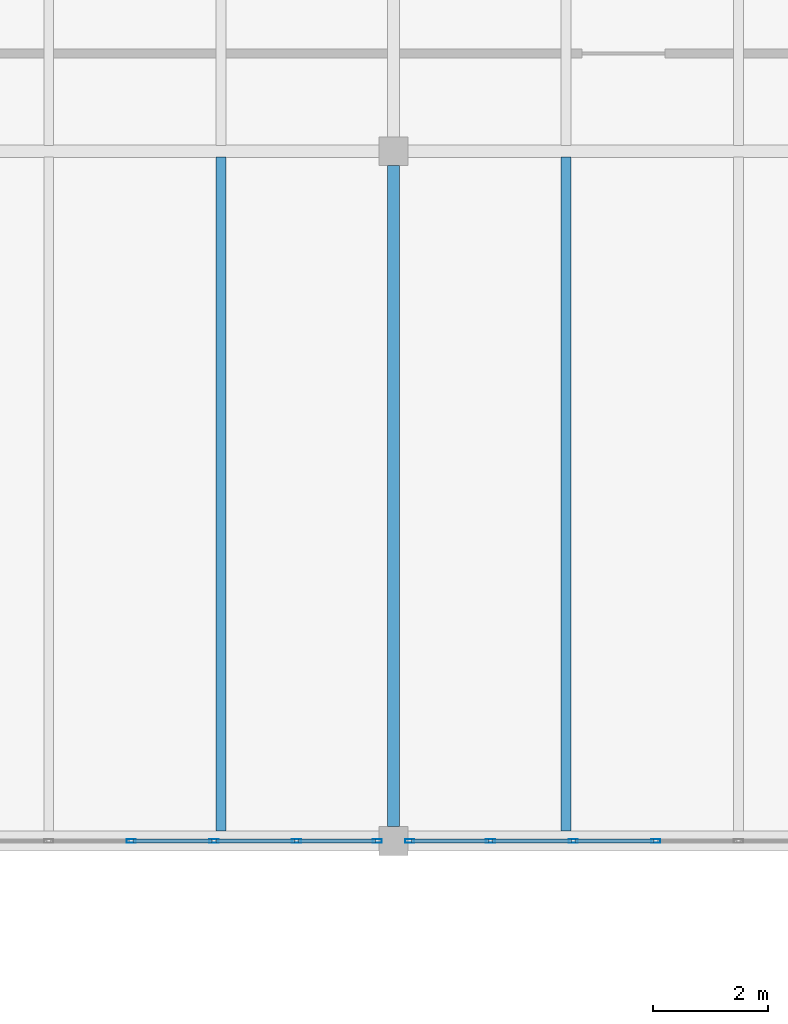
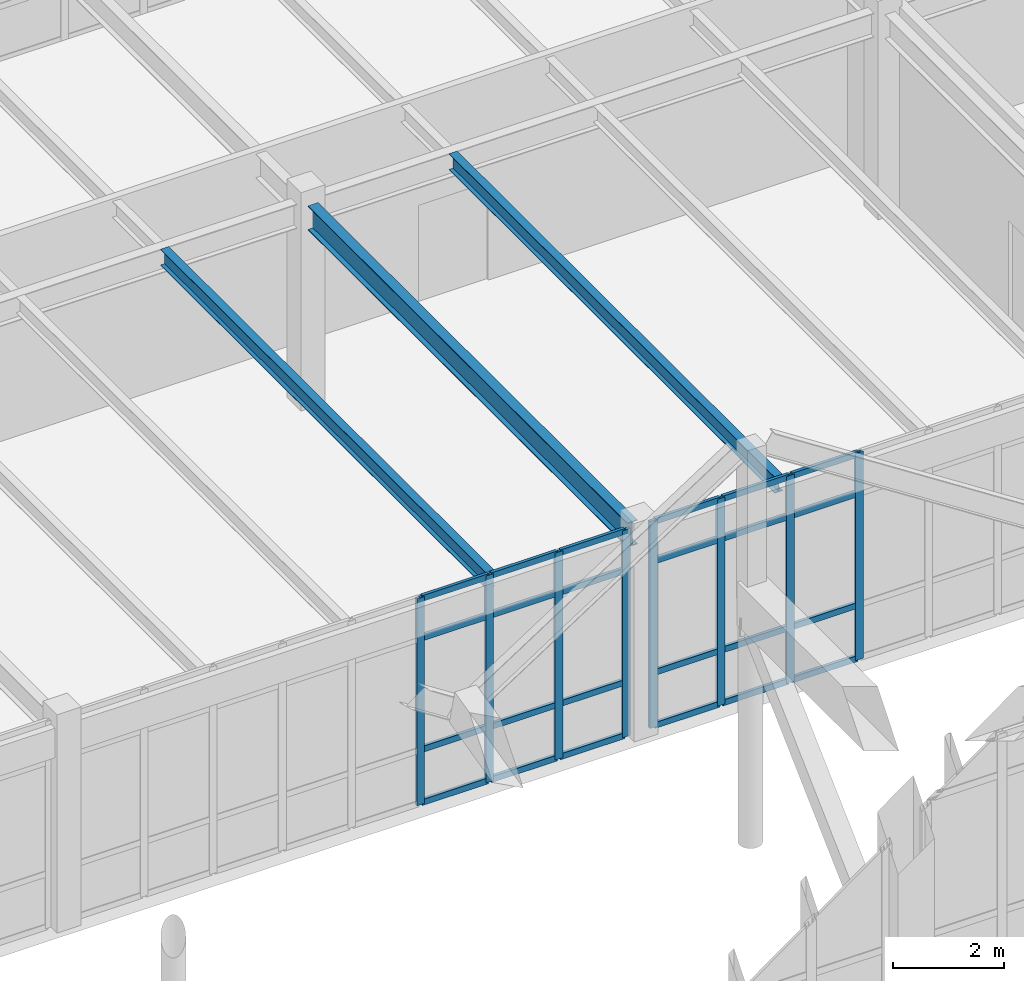
# One storey, part 94 of 236: 32 members, 3 beams, 2 elements without a shape of their own.
"""IFC4 building model written with IfcOpenShell, lengths in metres."""

from ifc_helpers import new_model, si_unit, direction, frame, origin, origin_2d, place, context, subcontext, project, spatial, hollow_rectangle, i_section, extrude, material, layer, layer_set, material_profile, profile_set, type_object, element, aggregate, save


model = new_model("IFC4")

# Units and contexts
model_context = context("Model", 3, precision=1e-05, world=origin(), true_north=direction((0.0, 1.0)))
body_context = subcontext(model_context, "Body", "Model", "MODEL_VIEW")
ifc_project = project(units=[si_unit("LENGTHUNIT", "METRE"), si_unit("AREAUNIT", "SQUARE_METRE"), si_unit("VOLUMEUNIT", "CUBIC_METRE"), si_unit("PLANEANGLEUNIT", "RADIAN"), si_unit("MASSUNIT", "GRAM", prefix="KILO")], contexts=[model_context])

# Site, building, storey
site_placement = place(None, origin())
site = spatial("IfcSite", under=ifc_project, at=site_placement, CompositionType="ELEMENT")
building_placement = place(site_placement, origin())
building = spatial("IfcBuilding", under=site, at=building_placement, Name="Pandanus Reach Market Hall", CompositionType="ELEMENT")
storey_placement = place(building_placement, frame((0.0, 0.0, 5.39990234375)))
storey = spatial("IfcBuildingStorey", under=building, at=storey_placement, Name="L01", CompositionType="ELEMENT", Elevation=5.39990234375)

# Beam
ifc_material_1 = material(Name="Steel Grade 350 (350 MPa)", Category="steel")
ifc_material_profile_1 = material_profile(ifc_material_1, i_section(OverallWidth=0.208984375, OverallDepth=0.532958984375, WebThickness=0.01025390625, FlangeThickness=0.015625, at=origin_2d()), Name="530UB92.4", Category="LoadBearing")
ifc_profile_set_1 = profile_set([ifc_material_profile_1], Name="Steel Grade 350 (350 MPa)")
beam_type_1 = type_object("IfcBeamType", Name="BM-UB530-I", PredefinedType="BEAM", material=ifc_profile_set_1)
beam_placement = place(storey_placement, frame((84.0, 96.248046875, 4.193115234375), z_axis=(0.0, 1.0, 0.0), x_axis=(-1.0, 0.0, 0.0)))
element("IfcBeam", 1, at=beam_placement, inside=storey, type_object=beam_type_1, Name="Framing beam BM-UB530-I L01.873", PredefinedType="BEAM", context=body_context, shape_type="SweptSolid", body=[
    extrude(i_section(OverallWidth=0.208984375, OverallDepth=0.532958984375, WebThickness=0.01025390625, FlangeThickness=0.015625, at=origin_2d()), origin(), (0.0, 0.0, 1.0), 11.50390625),
])

# Curtain wall, members
ifc_material_2 = material(Name="Bronze anodised aluminium and low-E glass", Category="aluminium")
ifc_layer = layer(ifc_material_2, 0.159912109375, Name="CW-38")
ifc_layer_set = layer_set([ifc_layer], Name="Bronze anodised aluminium and low-E glass")
curtain_wall_type = type_object("IfcCurtainWallType", Name="CW-38", PredefinedType="NOTDEFINED", material=ifc_layer_set)
curtain_wall_1_placement = place(storey_placement, origin())
curtain_wall_1 = element("IfcCurtainWall", 2, at=curtain_wall_1_placement, inside=storey, type_object=curtain_wall_type, Name="Glazed curtain wall CW-38 CW-0136", PredefinedType="NOTDEFINED")
ifc_material_3 = material(Name="Bronze anodised aluminium", Category="aluminium")
ifc_material_profile_2 = material_profile(ifc_material_3, hollow_rectangle(XDim=0.06494140625, YDim=0.159912109375, WallThickness=0.00390625, at=origin_2d()), Name="ALU65x160", Category="LoadBearing")
ifc_profile_set_2 = profile_set([ifc_material_profile_2], Name="Bronze anodised aluminium")
member_type_1 = type_object("IfcMemberType", Name="CW-M1", PredefinedType="MULLION", material=ifc_profile_set_2)
member_1_placement = place(storey_placement, frame((79.4375, 96.0, 0.0), z_axis=(0.0, 0.0, 1.0), x_axis=(0.0, 1.0, 0.0)))
member_1 = element("IfcMember", 3, at=member_1_placement, type_object=member_type_1, Name="CW-38 mullion 6", PredefinedType="MULLION", context=body_context, shape_type="SweptSolid", body=[
    extrude(hollow_rectangle(XDim=0.06494140625, YDim=0.159912109375, WallThickness=0.00390625, at=origin_2d()), origin(), (0.0, 0.0, 1.0), 4.550048828125),
])
member_2_placement = place(storey_placement, frame((80.875, 96.0, 0.0), z_axis=(0.0, 0.0, 1.0), x_axis=(0.0, 1.0, 0.0)))
member_2 = element("IfcMember", 4, at=member_2_placement, type_object=member_type_1, Name="CW-38 mullion 7", PredefinedType="MULLION", context=body_context, shape_type="SweptSolid", body=[
    extrude(hollow_rectangle(XDim=0.06494140625, YDim=0.159912109375, WallThickness=0.00390625, at=origin_2d()), origin(), (0.0, 0.0, 1.0), 4.550048828125),
])
member_3_placement = place(storey_placement, frame((82.3125, 96.0, 0.0), z_axis=(0.0, 0.0, 1.0), x_axis=(0.0, 1.0, 0.0)))
member_3 = element("IfcMember", 5, at=member_3_placement, type_object=member_type_1, Name="CW-38 mullion 8", PredefinedType="MULLION", context=body_context, shape_type="SweptSolid", body=[
    extrude(hollow_rectangle(XDim=0.06494140625, YDim=0.159912109375, WallThickness=0.00390625, at=origin_2d()), origin(), (0.0, 0.0, 1.0), 4.550048828125),
])
member_4_placement = place(storey_placement, frame((83.717529296875, 96.0, 0.0), z_axis=(0.0, 0.0, 1.0), x_axis=(0.0, 1.0, 0.0)))
member_4 = element("IfcMember", 6, at=member_4_placement, type_object=member_type_1, Name="CW-38 mullion 9", PredefinedType="MULLION", context=body_context, shape_type="SweptSolid", body=[
    extrude(hollow_rectangle(XDim=0.06494140625, YDim=0.159912109375, WallThickness=0.00390625, at=origin_2d()), origin(), (0.0, 0.0, 1.0), 4.550048828125),
])

curtain_wall_2_placement = place(storey_placement, origin())
curtain_wall_2 = element("IfcCurtainWall", 7, at=curtain_wall_2_placement, inside=storey, type_object=curtain_wall_type, Name="Glazed curtain wall CW-38 CW-0138", PredefinedType="NOTDEFINED")
member_5_placement = place(storey_placement, frame((84.282470703125, 96.0, 0.0), z_axis=(0.0, 0.0, 1.0), x_axis=(0.0, 1.0, 0.0)))
member_5 = element("IfcMember", 8, at=member_5_placement, type_object=member_type_1, Name="CW-38 mullion 1", PredefinedType="MULLION", context=body_context, shape_type="SweptSolid", body=[
    extrude(hollow_rectangle(XDim=0.06494140625, YDim=0.159912109375, WallThickness=0.00390625, at=origin_2d()), origin(), (0.0, 0.0, 1.0), 4.550048828125),
])
member_6_placement = place(storey_placement, frame((85.6875, 96.0, 0.0), z_axis=(0.0, 0.0, 1.0), x_axis=(0.0, 1.0, 0.0)))
member_6 = element("IfcMember", 9, at=member_6_placement, type_object=member_type_1, Name="CW-38 mullion 2", PredefinedType="MULLION", context=body_context, shape_type="SweptSolid", body=[
    extrude(hollow_rectangle(XDim=0.06494140625, YDim=0.159912109375, WallThickness=0.00390625, at=origin_2d()), origin(), (0.0, 0.0, 1.0), 4.550048828125),
])
member_7_placement = place(storey_placement, frame((87.125, 96.0, 0.0), z_axis=(0.0, 0.0, 1.0), x_axis=(0.0, 1.0, 0.0)))
member_7 = element("IfcMember", 10, at=member_7_placement, type_object=member_type_1, Name="CW-38 mullion 3", PredefinedType="MULLION", context=body_context, shape_type="SweptSolid", body=[
    extrude(hollow_rectangle(XDim=0.06494140625, YDim=0.159912109375, WallThickness=0.00390625, at=origin_2d()), origin(), (0.0, 0.0, 1.0), 4.550048828125),
])
member_8_placement = place(storey_placement, frame((88.5625, 96.0, 0.0), z_axis=(0.0, 0.0, 1.0), x_axis=(0.0, 1.0, 0.0)))
member_8 = element("IfcMember", 11, at=member_8_placement, type_object=member_type_1, Name="CW-38 mullion 4", PredefinedType="MULLION", context=body_context, shape_type="SweptSolid", body=[
    extrude(hollow_rectangle(XDim=0.06494140625, YDim=0.159912109375, WallThickness=0.00390625, at=origin_2d()), origin(), (0.0, 0.0, 1.0), 4.550048828125),
])

# Member
ifc_material_profile_3 = material_profile(ifc_material_3, hollow_rectangle(XDim=0.06494140625, YDim=0.1298828125, WallThickness=0.00390625, at=origin_2d()), Name="ALU65x130", Category="LoadBearing")
ifc_profile_set_3 = profile_set([ifc_material_profile_3], Name="Bronze anodised aluminium")
member_type_2 = type_object("IfcMemberType", Name="CW-T1", PredefinedType="USERDEFINED", material=ifc_profile_set_3)
member_9_placement = place(storey_placement, frame((79.469970703125, 96.0, 0.03271484375), z_axis=(1.0, 0.0, 0.0), x_axis=(0.0, 1.0, 0.0)))
member_9 = element("IfcMember", 12, at=member_9_placement, type_object=member_type_2, Name="CW-38 transom 6.1", ObjectType="TRANSOM", PredefinedType="USERDEFINED", context=body_context, shape_type="SweptSolid", body=[
    extrude(hollow_rectangle(XDim=0.06494140625, YDim=0.1298828125, WallThickness=0.00390625, at=origin_2d()), origin(), (0.0, 0.0, 1.0), 1.37255859375),
])

member_10_placement = place(storey_placement, frame((79.469970703125, 96.0, 1.2001953125), z_axis=(1.0, 0.0, 0.0), x_axis=(0.0, 1.0, 0.0)))
member_10 = element("IfcMember", 13, at=member_10_placement, type_object=member_type_2, Name="CW-38 transom 6.2", ObjectType="TRANSOM", PredefinedType="USERDEFINED", context=body_context, shape_type="SweptSolid", body=[
    extrude(hollow_rectangle(XDim=0.06494140625, YDim=0.1298828125, WallThickness=0.00390625, at=origin_2d()), origin(), (0.0, 0.0, 1.0), 1.37255859375),
])

member_11_placement = place(storey_placement, frame((79.469970703125, 96.0, 3.650146484375), z_axis=(1.0, 0.0, 0.0), x_axis=(0.0, 1.0, 0.0)))
member_11 = element("IfcMember", 14, at=member_11_placement, type_object=member_type_2, Name="CW-38 transom 6.3", ObjectType="TRANSOM", PredefinedType="USERDEFINED", context=body_context, shape_type="SweptSolid", body=[
    extrude(hollow_rectangle(XDim=0.06494140625, YDim=0.1298828125, WallThickness=0.00390625, at=origin_2d()), origin(), (0.0, 0.0, 1.0), 1.37255859375),
])

member_12_placement = place(storey_placement, frame((79.469970703125, 96.0, 4.517578125), z_axis=(1.0, 0.0, 0.0), x_axis=(0.0, 1.0, 0.0)))
member_12 = element("IfcMember", 15, at=member_12_placement, type_object=member_type_2, Name="CW-38 transom 6.4", ObjectType="TRANSOM", PredefinedType="USERDEFINED", context=body_context, shape_type="SweptSolid", body=[
    extrude(hollow_rectangle(XDim=0.06494140625, YDim=0.1298828125, WallThickness=0.00390625, at=origin_2d()), origin(), (0.0, 0.0, 1.0), 1.37255859375),
])

member_13_placement = place(storey_placement, frame((80.907470703125, 96.0, 0.03271484375), z_axis=(1.0, 0.0, 0.0), x_axis=(0.0, 1.0, 0.0)))
member_13 = element("IfcMember", 16, at=member_13_placement, type_object=member_type_2, Name="CW-38 transom 7.1", ObjectType="TRANSOM", PredefinedType="USERDEFINED", context=body_context, shape_type="SweptSolid", body=[
    extrude(hollow_rectangle(XDim=0.06494140625, YDim=0.1298828125, WallThickness=0.00390625, at=origin_2d()), origin(), (0.0, 0.0, 1.0), 1.37255859375),
])

member_14_placement = place(storey_placement, frame((80.907470703125, 96.0, 1.2001953125), z_axis=(1.0, 0.0, 0.0), x_axis=(0.0, 1.0, 0.0)))
member_14 = element("IfcMember", 17, at=member_14_placement, type_object=member_type_2, Name="CW-38 transom 7.2", ObjectType="TRANSOM", PredefinedType="USERDEFINED", context=body_context, shape_type="SweptSolid", body=[
    extrude(hollow_rectangle(XDim=0.06494140625, YDim=0.1298828125, WallThickness=0.00390625, at=origin_2d()), origin(), (0.0, 0.0, 1.0), 1.37255859375),
])

member_15_placement = place(storey_placement, frame((80.907470703125, 96.0, 3.650146484375), z_axis=(1.0, 0.0, 0.0), x_axis=(0.0, 1.0, 0.0)))
member_15 = element("IfcMember", 18, at=member_15_placement, type_object=member_type_2, Name="CW-38 transom 7.3", ObjectType="TRANSOM", PredefinedType="USERDEFINED", context=body_context, shape_type="SweptSolid", body=[
    extrude(hollow_rectangle(XDim=0.06494140625, YDim=0.1298828125, WallThickness=0.00390625, at=origin_2d()), origin(), (0.0, 0.0, 1.0), 1.37255859375),
])

member_16_placement = place(storey_placement, frame((80.907470703125, 96.0, 4.517578125), z_axis=(1.0, 0.0, 0.0), x_axis=(0.0, 1.0, 0.0)))
member_16 = element("IfcMember", 19, at=member_16_placement, type_object=member_type_2, Name="CW-38 transom 7.4", ObjectType="TRANSOM", PredefinedType="USERDEFINED", context=body_context, shape_type="SweptSolid", body=[
    extrude(hollow_rectangle(XDim=0.06494140625, YDim=0.1298828125, WallThickness=0.00390625, at=origin_2d()), origin(), (0.0, 0.0, 1.0), 1.37255859375),
])

member_17_placement = place(storey_placement, frame((82.344970703125, 96.0, 0.03271484375), z_axis=(1.0, 0.0, 0.0), x_axis=(0.0, 1.0, 0.0)))
member_17 = element("IfcMember", 20, at=member_17_placement, type_object=member_type_2, Name="CW-38 transom 8.1", ObjectType="TRANSOM", PredefinedType="USERDEFINED", context=body_context, shape_type="SweptSolid", body=[
    extrude(hollow_rectangle(XDim=0.06494140625, YDim=0.1298828125, WallThickness=0.00390625, at=origin_2d()), origin(), (0.0, 0.0, 1.0), 1.340087890625),
])

member_18_placement = place(storey_placement, frame((82.344970703125, 96.0, 1.2001953125), z_axis=(1.0, 0.0, 0.0), x_axis=(0.0, 1.0, 0.0)))
member_18 = element("IfcMember", 21, at=member_18_placement, type_object=member_type_2, Name="CW-38 transom 8.2", ObjectType="TRANSOM", PredefinedType="USERDEFINED", context=body_context, shape_type="SweptSolid", body=[
    extrude(hollow_rectangle(XDim=0.06494140625, YDim=0.1298828125, WallThickness=0.00390625, at=origin_2d()), origin(), (0.0, 0.0, 1.0), 1.340087890625),
])

member_19_placement = place(storey_placement, frame((82.344970703125, 96.0, 3.650146484375), z_axis=(1.0, 0.0, 0.0), x_axis=(0.0, 1.0, 0.0)))
member_19 = element("IfcMember", 22, at=member_19_placement, type_object=member_type_2, Name="CW-38 transom 8.3", ObjectType="TRANSOM", PredefinedType="USERDEFINED", context=body_context, shape_type="SweptSolid", body=[
    extrude(hollow_rectangle(XDim=0.06494140625, YDim=0.1298828125, WallThickness=0.00390625, at=origin_2d()), origin(), (0.0, 0.0, 1.0), 1.340087890625),
])

member_20_placement = place(storey_placement, frame((82.344970703125, 96.0, 4.517578125), z_axis=(1.0, 0.0, 0.0), x_axis=(0.0, 1.0, 0.0)))
member_20 = element("IfcMember", 23, at=member_20_placement, type_object=member_type_2, Name="CW-38 transom 8.4", ObjectType="TRANSOM", PredefinedType="USERDEFINED", context=body_context, shape_type="SweptSolid", body=[
    extrude(hollow_rectangle(XDim=0.06494140625, YDim=0.1298828125, WallThickness=0.00390625, at=origin_2d()), origin(), (0.0, 0.0, 1.0), 1.340087890625),
])

aggregate(curtain_wall_1, [member_1, member_2, member_3, member_4, member_9, member_10, member_11, member_12, member_13, member_14, member_15, member_16, member_17, member_18, member_19, member_20])

member_21_placement = place(storey_placement, frame((84.31494140625, 96.0, 0.03271484375), z_axis=(1.0, 0.0, 0.0), x_axis=(0.0, 1.0, 0.0)))
member_21 = element("IfcMember", 24, at=member_21_placement, type_object=member_type_2, Name="CW-38 transom 1.1", ObjectType="TRANSOM", PredefinedType="USERDEFINED", context=body_context, shape_type="SweptSolid", body=[
    extrude(hollow_rectangle(XDim=0.06494140625, YDim=0.1298828125, WallThickness=0.00390625, at=origin_2d()), origin(), (0.0, 0.0, 1.0), 1.340087890625),
])

member_22_placement = place(storey_placement, frame((84.31494140625, 96.0, 1.2001953125), z_axis=(1.0, 0.0, 0.0), x_axis=(0.0, 1.0, 0.0)))
member_22 = element("IfcMember", 25, at=member_22_placement, type_object=member_type_2, Name="CW-38 transom 1.2", ObjectType="TRANSOM", PredefinedType="USERDEFINED", context=body_context, shape_type="SweptSolid", body=[
    extrude(hollow_rectangle(XDim=0.06494140625, YDim=0.1298828125, WallThickness=0.00390625, at=origin_2d()), origin(), (0.0, 0.0, 1.0), 1.340087890625),
])

member_23_placement = place(storey_placement, frame((84.31494140625, 96.0, 3.650146484375), z_axis=(1.0, 0.0, 0.0), x_axis=(0.0, 1.0, 0.0)))
member_23 = element("IfcMember", 26, at=member_23_placement, type_object=member_type_2, Name="CW-38 transom 1.3", ObjectType="TRANSOM", PredefinedType="USERDEFINED", context=body_context, shape_type="SweptSolid", body=[
    extrude(hollow_rectangle(XDim=0.06494140625, YDim=0.1298828125, WallThickness=0.00390625, at=origin_2d()), origin(), (0.0, 0.0, 1.0), 1.340087890625),
])

member_24_placement = place(storey_placement, frame((84.31494140625, 96.0, 4.517578125), z_axis=(1.0, 0.0, 0.0), x_axis=(0.0, 1.0, 0.0)))
member_24 = element("IfcMember", 27, at=member_24_placement, type_object=member_type_2, Name="CW-38 transom 1.4", ObjectType="TRANSOM", PredefinedType="USERDEFINED", context=body_context, shape_type="SweptSolid", body=[
    extrude(hollow_rectangle(XDim=0.06494140625, YDim=0.1298828125, WallThickness=0.00390625, at=origin_2d()), origin(), (0.0, 0.0, 1.0), 1.340087890625),
])

member_25_placement = place(storey_placement, frame((85.719970703125, 96.0, 0.03271484375), z_axis=(1.0, 0.0, 0.0), x_axis=(0.0, 1.0, 0.0)))
member_25 = element("IfcMember", 28, at=member_25_placement, type_object=member_type_2, Name="CW-38 transom 2.1", ObjectType="TRANSOM", PredefinedType="USERDEFINED", context=body_context, shape_type="SweptSolid", body=[
    extrude(hollow_rectangle(XDim=0.06494140625, YDim=0.1298828125, WallThickness=0.00390625, at=origin_2d()), origin(), (0.0, 0.0, 1.0), 1.37255859375),
])

member_26_placement = place(storey_placement, frame((85.719970703125, 96.0, 1.2001953125), z_axis=(1.0, 0.0, 0.0), x_axis=(0.0, 1.0, 0.0)))
member_26 = element("IfcMember", 29, at=member_26_placement, type_object=member_type_2, Name="CW-38 transom 2.2", ObjectType="TRANSOM", PredefinedType="USERDEFINED", context=body_context, shape_type="SweptSolid", body=[
    extrude(hollow_rectangle(XDim=0.06494140625, YDim=0.1298828125, WallThickness=0.00390625, at=origin_2d()), origin(), (0.0, 0.0, 1.0), 1.37255859375),
])

member_27_placement = place(storey_placement, frame((85.719970703125, 96.0, 3.650146484375), z_axis=(1.0, 0.0, 0.0), x_axis=(0.0, 1.0, 0.0)))
member_27 = element("IfcMember", 30, at=member_27_placement, type_object=member_type_2, Name="CW-38 transom 2.3", ObjectType="TRANSOM", PredefinedType="USERDEFINED", context=body_context, shape_type="SweptSolid", body=[
    extrude(hollow_rectangle(XDim=0.06494140625, YDim=0.1298828125, WallThickness=0.00390625, at=origin_2d()), origin(), (0.0, 0.0, 1.0), 1.37255859375),
])

member_28_placement = place(storey_placement, frame((85.719970703125, 96.0, 4.517578125), z_axis=(1.0, 0.0, 0.0), x_axis=(0.0, 1.0, 0.0)))
member_28 = element("IfcMember", 31, at=member_28_placement, type_object=member_type_2, Name="CW-38 transom 2.4", ObjectType="TRANSOM", PredefinedType="USERDEFINED", context=body_context, shape_type="SweptSolid", body=[
    extrude(hollow_rectangle(XDim=0.06494140625, YDim=0.1298828125, WallThickness=0.00390625, at=origin_2d()), origin(), (0.0, 0.0, 1.0), 1.37255859375),
])

member_29_placement = place(storey_placement, frame((87.157470703125, 96.0, 0.03271484375), z_axis=(1.0, 0.0, 0.0), x_axis=(0.0, 1.0, 0.0)))
member_29 = element("IfcMember", 32, at=member_29_placement, type_object=member_type_2, Name="CW-38 transom 3.1", ObjectType="TRANSOM", PredefinedType="USERDEFINED", context=body_context, shape_type="SweptSolid", body=[
    extrude(hollow_rectangle(XDim=0.06494140625, YDim=0.1298828125, WallThickness=0.00390625, at=origin_2d()), origin(), (0.0, 0.0, 1.0), 1.37255859375),
])

member_30_placement = place(storey_placement, frame((87.157470703125, 96.0, 1.2001953125), z_axis=(1.0, 0.0, 0.0), x_axis=(0.0, 1.0, 0.0)))
member_30 = element("IfcMember", 33, at=member_30_placement, type_object=member_type_2, Name="CW-38 transom 3.2", ObjectType="TRANSOM", PredefinedType="USERDEFINED", context=body_context, shape_type="SweptSolid", body=[
    extrude(hollow_rectangle(XDim=0.06494140625, YDim=0.1298828125, WallThickness=0.00390625, at=origin_2d()), origin(), (0.0, 0.0, 1.0), 1.37255859375),
])

member_31_placement = place(storey_placement, frame((87.157470703125, 96.0, 3.650146484375), z_axis=(1.0, 0.0, 0.0), x_axis=(0.0, 1.0, 0.0)))
member_31 = element("IfcMember", 34, at=member_31_placement, type_object=member_type_2, Name="CW-38 transom 3.3", ObjectType="TRANSOM", PredefinedType="USERDEFINED", context=body_context, shape_type="SweptSolid", body=[
    extrude(hollow_rectangle(XDim=0.06494140625, YDim=0.1298828125, WallThickness=0.00390625, at=origin_2d()), origin(), (0.0, 0.0, 1.0), 1.37255859375),
])

member_32_placement = place(storey_placement, frame((87.157470703125, 96.0, 4.517578125), z_axis=(1.0, 0.0, 0.0), x_axis=(0.0, 1.0, 0.0)))
member_32 = element("IfcMember", 35, at=member_32_placement, type_object=member_type_2, Name="CW-38 transom 3.4", ObjectType="TRANSOM", PredefinedType="USERDEFINED", context=body_context, shape_type="SweptSolid", body=[
    extrude(hollow_rectangle(XDim=0.06494140625, YDim=0.1298828125, WallThickness=0.00390625, at=origin_2d()), origin(), (0.0, 0.0, 1.0), 1.37255859375),
])

aggregate(curtain_wall_2, [member_5, member_6, member_7, member_8, member_21, member_22, member_23, member_24, member_25, member_26, member_27, member_28, member_29, member_30, member_31, member_32])

# Beams
ifc_material_profile_4 = material_profile(ifc_material_1, i_section(OverallWidth=0.1708984375, OverallDepth=0.35595703125, WebThickness=0.00732421875, FlangeThickness=0.011474609375, at=origin_2d()), Name="360UB50.7", Category="LoadBearing")
ifc_profile_set_4 = profile_set([ifc_material_profile_4], Name="Steel Grade 350 (350 MPa)")
beam_type_2 = type_object("IfcBeamType", Name="JS-UB360-I", PredefinedType="JOIST", material=ifc_profile_set_4)
for number, where, z_axis, x_axis, name in (
    (36, (81.0, 96.173095703125, 4.28173828125), (0.0, 1.0, 0.0), (-1.0, 0.0, 0.0), "Secondary joist JS-UB360-I L01.890"),
    (37, (87.0, 96.173095703125, 4.28173828125), (0.0, 1.0, 0.0), (-1.0, 0.0, 0.0), "Secondary joist JS-UB360-I L01.894"),
):
    element("IfcBeam", number, at=place(storey_placement, frame(where, z_axis=z_axis, x_axis=x_axis)), inside=storey, type_object=beam_type_2, Name=name, PredefinedType="JOIST", context=body_context, shape_type="SweptSolid", body=[
        extrude(i_section(OverallWidth=0.1708984375, OverallDepth=0.35595703125, WebThickness=0.00732421875, FlangeThickness=0.011474609375, at=origin_2d()), origin(), (0.0, 0.0, 1.0), 11.724365234375),
    ])

save(model, "model.ifc")
